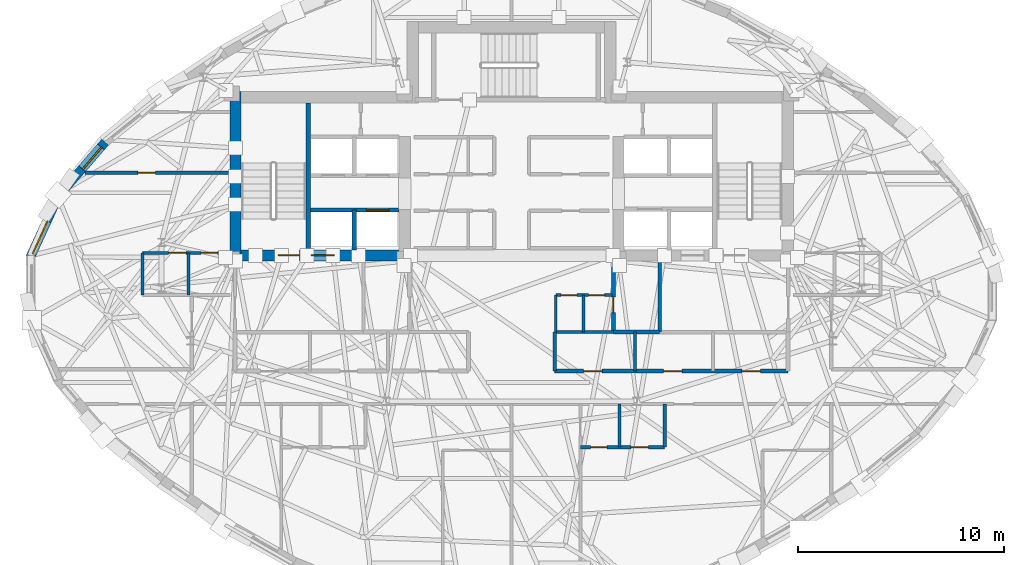
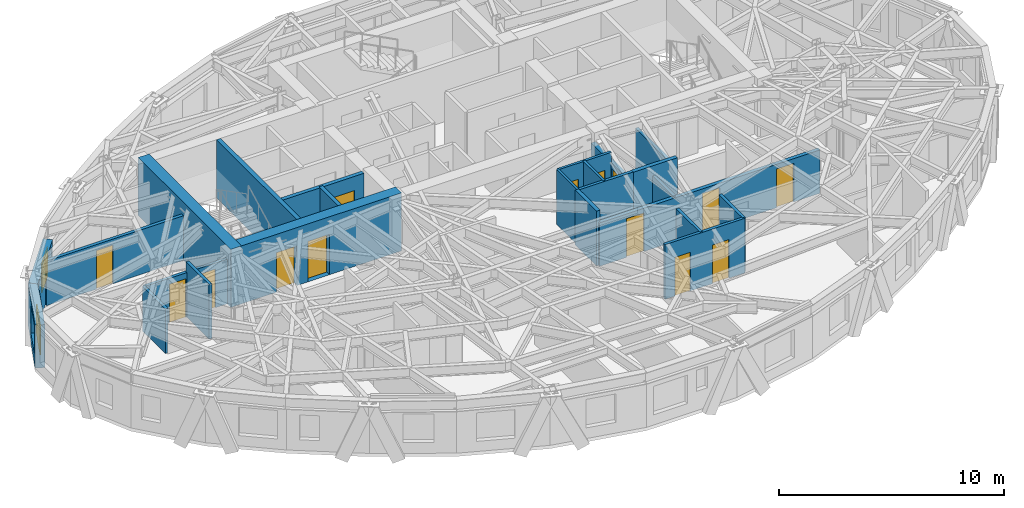
# One storey, part 7 of 14: 24 walls, 14 doors, 2 windows, 16 openings.
"""IFC4 building model written with IfcOpenShell, lengths in metres."""

from ifc_helpers import new_model, si_unit, direction, frame, frame_2d, origin, place, context, subcontext, project, spatial, rectangle, extrude, material, layer, layer_set, type_object, element, fill, save


model = new_model("IFC4")

# Units and contexts
model_context = context("Model", 3, precision=1e-05, world=origin(), true_north=direction((0.0, 1.0)))
body_context = subcontext(model_context, "Body", "Model", "MODEL_VIEW")
ifc_project = project(units=[si_unit("LENGTHUNIT", "METRE"), si_unit("AREAUNIT", "SQUARE_METRE"), si_unit("VOLUMEUNIT", "CUBIC_METRE"), si_unit("PLANEANGLEUNIT", "RADIAN"), si_unit("MASSUNIT", "GRAM", prefix="KILO")], contexts=[model_context])

# Site, building, storey
site_placement = place(None, origin())
site = spatial("IfcSite", under=ifc_project, at=site_placement, CompositionType="ELEMENT")
building_placement = place(site_placement, origin())
building = spatial("IfcBuilding", under=site, at=building_placement, Name="Keldmark Tower", CompositionType="ELEMENT")
storey_placement = place(building_placement, frame((0.0, 0.0, 213.14990234375)))
storey = spatial("IfcBuildingStorey", under=building, at=storey_placement, Name="L59", CompositionType="ELEMENT", Elevation=213.14990234375)

# Wall, openings, doors
ifc_material_1 = material(Name="Heavy Acoustic Plumbing Chase Gypsum Assembly", Category="gypsum")
ifc_layer_1 = layer(ifc_material_1, 0.18994140625)
ifc_layer_set_1 = layer_set([ifc_layer_1], Name="Heavy Acoustic Plumbing Chase Gypsum Assembly")
wall_type_1 = type_object("IfcWallType", Name="Heavy Wet Wall 190 mm", PredefinedType="PLUMBINGWALL", material=ifc_layer_set_1)
wall_1_placement = place(storey_placement, frame((2.10009765625, -4.050048828125, 0.0), z_axis=(0.0, 0.0, 1.0), x_axis=(1.0, 0.0, 0.0)))
wall_1 = element("IfcWall", 1, at=wall_1_placement, inside=storey, type_object=wall_type_1, Name="L59 Heavy Wet Wall 190 mm SPK-E-S", PredefinedType="PLUMBINGWALL", context=body_context, shape_type="SweptSolid", body=[
    extrude(rectangle(XDim=11.349853515625, YDim=0.18994140625, at=frame_2d((5.6748046875, 0.0))), origin(), (0.0, 0.0, 1.0), 2.357177734375),
])
opening_1_placement = place(wall_1_placement, frame((1.39990234375, 0.0, 0.0)))
opening_1 = element("IfcOpeningElement", 2, at=opening_1_placement, cuts=wall_1, Name="Opening D-IN090", PredefinedType="OPENING", context=body_context, shape_type="SweptSolid", body=[
    extrude(rectangle(XDim=0.89990234375, YDim=2.10009765625, at=frame_2d((0.449951171875, 1.050048828125))), frame((0.0, 0.10498046875, 0.0), z_axis=(0.0, -1.0, 0.0), x_axis=(1.0, 0.0, 0.0)), (0.0, 0.0, 1.0), 0.2099609375),
])
opening_2_placement = place(wall_1_placement, frame((5.300048828125, 0.0, 0.0)))
opening_2 = element("IfcOpeningElement", 3, at=opening_2_placement, cuts=wall_1, Name="Opening D-IN090", PredefinedType="OPENING", context=body_context, shape_type="SweptSolid", body=[
    extrude(rectangle(XDim=0.89990234375, YDim=2.10009765625, at=frame_2d((0.449951171875, 1.050048828125))), frame((0.0, 0.10498046875, 0.0), z_axis=(0.0, -1.0, 0.0), x_axis=(1.0, 0.0, 0.0)), (0.0, 0.0, 1.0), 0.2099609375),
])
opening_3_placement = place(wall_1_placement, frame((9.10009765625, 0.0, 0.0)))
opening_3 = element("IfcOpeningElement", 4, at=opening_3_placement, cuts=wall_1, Name="Opening D-IN090", PredefinedType="OPENING", context=body_context, shape_type="SweptSolid", body=[
    extrude(rectangle(XDim=0.89990234375, YDim=2.10009765625, at=frame_2d((0.449951171875, 1.050048828125))), frame((0.0, 0.10498046875, 0.0), z_axis=(0.0, -1.0, 0.0), x_axis=(1.0, 0.0, 0.0)), (0.0, 0.0, 1.0), 0.2099609375),
])
ifc_material_2 = material(Name="Stained American White Oak Veneer", Category="wood")
door_type_1 = type_object("IfcDoorType", Name="Interior Door 900x2100", OperationType="NOTDEFINED", PredefinedType="DOOR", material=ifc_material_2)
door_1_placement = place(opening_1_placement, origin())
door_1 = element("IfcDoor", 5, at=door_1_placement, inside=storey, type_object=door_type_1, Name="L59 Interior Door 900x2100 D-SPKE1-L59", OperationType="SINGLE_SWING_RIGHT", OverallHeight=2.10009765625, OverallWidth=0.89990234375, PredefinedType="DOOR", context=body_context, shape_type="SweptSolid", body=[
    extrude(rectangle(XDim=0.89990234375, YDim=2.10009765625, at=frame_2d((0.449951171875, 1.050048828125))), frame((0.0, 0.02490234375, 0.0), z_axis=(0.0, -1.0, 0.0), x_axis=(1.0, 0.0, 0.0)), (0.0, 0.0, 1.0), 0.050048828125),
])
fill(opening_1, door_1)
door_2_placement = place(opening_2_placement, origin())
door_2 = element("IfcDoor", 6, at=door_2_placement, inside=storey, type_object=door_type_1, Name="L59 Interior Door 900x2100 D-SPKE2-L59", OperationType="SINGLE_SWING_LEFT", OverallHeight=2.10009765625, OverallWidth=0.89990234375, PredefinedType="DOOR", context=body_context, shape_type="SweptSolid", body=[
    extrude(rectangle(XDim=0.89990234375, YDim=2.10009765625, at=frame_2d((0.449951171875, 1.050048828125))), frame((0.0, 0.02490234375, 0.0), z_axis=(0.0, -1.0, 0.0), x_axis=(1.0, 0.0, 0.0)), (0.0, 0.0, 1.0), 0.050048828125),
])
fill(opening_2, door_2)
door_3_placement = place(opening_3_placement, origin())
door_3 = element("IfcDoor", 7, at=door_3_placement, inside=storey, type_object=door_type_1, Name="L59 Interior Door 900x2100 D-SPKE3-L59", OperationType="SINGLE_SWING_RIGHT", OverallHeight=2.10009765625, OverallWidth=0.89990234375, PredefinedType="DOOR", context=body_context, shape_type="SweptSolid", body=[
    extrude(rectangle(XDim=0.89990234375, YDim=2.10009765625, at=frame_2d((0.449951171875, 1.050048828125))), frame((0.0, 0.02490234375, 0.0), z_axis=(0.0, -1.0, 0.0), x_axis=(1.0, 0.0, 0.0)), (0.0, 0.0, 1.0), 0.050048828125),
])
fill(opening_3, door_3)

# Walls
wall_2_placement = place(storey_placement, frame((2.10009765625, -4.050048828125, 0.0), z_axis=(0.0, 0.0, 1.0), x_axis=(0.0, 1.0, 0.0)))
element("IfcWall", 8, at=wall_2_placement, inside=storey, type_object=wall_type_1, Name="L59 Heavy Wet Wall 190 mm SPK-E-W", PredefinedType="PLUMBINGWALL", context=body_context, shape_type="SweptSolid", body=[
    extrude(rectangle(XDim=1.900146484375, YDim=0.18994140625, at=frame_2d((0.9501953125, 0.0))), origin(), (0.0, 0.0, 1.0), 2.97021484375),
])
ifc_material_3 = material(Name="Concrete C50/60", Category="concrete")
ifc_layer_2 = layer(ifc_material_3, 0.550048828125)
ifc_layer_set_2 = layer_set([ifc_layer_2], Name="Concrete C50/60")
wall_type_2 = type_object("IfcWallType", Name="High-Rise Core Shear Wall 550 mm", PredefinedType="SHEAR", material=ifc_layer_set_2)
wall_3_placement = place(storey_placement, frame((-13.425048828125, 1.300048828125, 0.0), z_axis=(0.0, 0.0, 1.0), x_axis=(0.0, 1.0, 0.0)))
element("IfcWall", 9, at=wall_3_placement, inside=storey, type_object=wall_type_2, Name="L59 West Core Outer Shear Wall", PredefinedType="SHEAR", context=body_context, shape_type="SweptSolid", body=[
    extrude(rectangle(XDim=8.25, YDim=0.550048828125, at=frame_2d((4.125, 0.0))), origin(), (0.0, 0.0, 1.0), 3.150146484375),
])

# Wall, openings, doors
wall_4_placement = place(storey_placement, frame((-4.925048828125, 1.574951171875, 0.0), z_axis=(0.0, 0.0, 1.0), x_axis=(-1.0, 0.0, 0.0)))
wall_4 = element("IfcWall", 10, at=wall_4_placement, inside=storey, type_object=wall_type_2, Name="L59 West Core South Shear Wall", PredefinedType="SHEAR", context=body_context, shape_type="SweptSolid", body=[
    extrude(rectangle(XDim=8.77490234375, YDim=0.550048828125, at=frame_2d((4.387451171875, 0.0))), origin(), (0.0, 0.0, 1.0), 3.150146484375),
])
opening_4_placement = place(wall_4_placement, frame((5.375, 0.0, 0.0)))
opening_4 = element("IfcOpeningElement", 11, at=opening_4_placement, cuts=wall_4, Name="Opening D-ST105", PredefinedType="OPENING", context=body_context, shape_type="SweptSolid", body=[
    extrude(rectangle(XDim=1.050048828125, YDim=2.14990234375, at=frame_2d((0.52490234375, 1.074951171875))), frame((0.0, 0.284912109375, 0.0), z_axis=(0.0, -1.0, 0.0), x_axis=(1.0, 0.0, 0.0)), (0.0, 0.0, 1.0), 0.570068359375),
])
opening_5_placement = place(wall_4_placement, frame((3.705078125, 0.0, 0.0)))
opening_5 = element("IfcOpeningElement", 12, at=opening_5_placement, cuts=wall_4, Name="Opening LD-110", PredefinedType="OPENING", context=body_context, shape_type="SweptSolid", body=[
    extrude(rectangle(XDim=1.10009765625, YDim=2.199951171875, at=frame_2d((0.550048828125, 1.10009765625))), frame((0.0, 0.284912109375, 0.0), z_axis=(0.0, -1.0, 0.0), x_axis=(1.0, 0.0, 0.0)), (0.0, 0.0, 1.0), 0.570068359375),
])
ifc_material_4 = material(Name="Brushed Bronze Hoistway Sliding Leaf", Category="metal")
door_type_2 = type_object("IfcDoorType", Name="Lift Landing Sliding Door 1100x2200", OperationType="SLIDING_TO_LEFT", PredefinedType="DOOR", material=ifc_material_4)
door_4_placement = place(opening_5_placement, origin())
door_4 = element("IfcDoor", 13, at=door_4_placement, inside=storey, type_object=door_type_2, Name="L59 Lift Landing Sliding Door 1100x2200 LD-EL-FS1-L59", OperationType="SLIDING_TO_LEFT", OverallHeight=2.199951171875, OverallWidth=1.10009765625, PredefinedType="DOOR", context=body_context, shape_type="SweptSolid", body=[
    extrude(rectangle(XDim=1.10009765625, YDim=2.199951171875, at=frame_2d((0.550048828125, 1.10009765625))), frame((0.0, 0.02490234375, 0.0), z_axis=(0.0, -1.0, 0.0), x_axis=(1.0, 0.0, 0.0)), (0.0, 0.0, 1.0), 0.050048828125),
])
fill(opening_5, door_4)
ifc_material_5 = material(Name="Hollow Metal Fire-Rated Door Assembly", Category="metal")
door_type_3 = type_object("IfcDoorType", Name="Stair Fire Door 1050x2150", OperationType="NOTDEFINED", PredefinedType="DOOR", material=ifc_material_5)
door_5_placement = place(opening_4_placement, origin())
door_5 = element("IfcDoor", 14, at=door_5_placement, inside=storey, type_object=door_type_3, Name="L59 Stair Fire Door 1050x2150 D-ST1-L59", OperationType="SINGLE_SWING_RIGHT", OverallHeight=2.14990234375, OverallWidth=1.050048828125, PredefinedType="DOOR", context=body_context, shape_type="SweptSolid", body=[
    extrude(rectangle(XDim=1.050048828125, YDim=2.14990234375, at=frame_2d((0.52490234375, 1.074951171875))), frame((0.0, 0.02490234375, 0.0), z_axis=(0.0, -1.0, 0.0), x_axis=(1.0, 0.0, 0.0)), (0.0, 0.0, 1.0), 0.050048828125),
])
fill(opening_4, door_5)

ifc_material_6 = material(Name="Acoustic Gypsum Board Interior Partition", Category="gypsum")
ifc_layer_3 = layer(ifc_material_6, 0.1298828125)
ifc_layer_set_3 = layer_set([ifc_layer_3], Name="Acoustic Gypsum Board Interior Partition")
wall_type_3 = type_object("IfcWallType", Name="Interior Partition 130 mm", PredefinedType="PARTITIONING", material=ifc_layer_set_3)
wall_5_placement = place(storey_placement, frame((2.14990234375, -0.35009765625, 0.0), z_axis=(0.0, 0.0, 1.0), x_axis=(1.0, 0.0, 0.0)))
wall_5 = element("IfcWall", 15, at=wall_5_placement, inside=storey, type_object=wall_type_3, Name="L59 Interior Partition 130 mm CSC-E-N", PredefinedType="PARTITIONING", context=body_context, shape_type="SweptSolid", body=[
    extrude(rectangle(XDim=2.72998046875, YDim=0.1298828125, at=frame_2d((1.364990234375, 0.0))), origin(), (0.0, 0.0, 1.0), 2.97021484375),
])
opening_6_placement = place(wall_5_placement, frame((0.25, 0.0, 0.0)))
opening_6 = element("IfcOpeningElement", 16, at=opening_6_placement, cuts=wall_5, Name="Opening D-CL078", PredefinedType="OPENING", context=body_context, shape_type="SweptSolid", body=[
    extrude(rectangle(XDim=0.780029296875, YDim=2.10009765625, at=frame_2d((0.39013671875, 1.050048828125))), frame((0.0, 0.074951171875, 0.0), z_axis=(0.0, -1.0, 0.0), x_axis=(1.0, 0.0, 0.0)), (0.0, 0.0, 1.0), 0.14990234375),
])
opening_7_placement = place(wall_5_placement, frame((1.60009765625, 0.0, 0.0)))
opening_7 = element("IfcOpeningElement", 17, at=opening_7_placement, cuts=wall_5, Name="Opening D-CL078", PredefinedType="OPENING", context=body_context, shape_type="SweptSolid", body=[
    extrude(rectangle(XDim=0.780029296875, YDim=2.10009765625, at=frame_2d((0.39013671875, 1.050048828125))), frame((0.0, 0.074951171875, 0.0), z_axis=(0.0, -1.0, 0.0), x_axis=(1.0, 0.0, 0.0)), (0.0, 0.0, 1.0), 0.14990234375),
])
ifc_material_7 = material(Name="Flush Utility Closet Timber Door", Category="wood")
door_type_4 = type_object("IfcDoorType", Name="Closet Door 780x2100", OperationType="NOTDEFINED", PredefinedType="DOOR", material=ifc_material_7)
door_6_placement = place(opening_6_placement, origin())
door_6 = element("IfcDoor", 18, at=door_6_placement, inside=storey, type_object=door_type_4, Name="L59 Closet Door 780x2100 D-CSCE1-L59", OperationType="SINGLE_SWING_LEFT", OverallHeight=2.10009765625, OverallWidth=0.780029296875, PredefinedType="DOOR", context=body_context, shape_type="SweptSolid", body=[
    extrude(rectangle(XDim=0.780029296875, YDim=2.10009765625, at=frame_2d((0.39013671875, 1.050048828125))), frame((0.0, 0.02490234375, 0.0), z_axis=(0.0, -1.0, 0.0), x_axis=(1.0, 0.0, 0.0)), (0.0, 0.0, 1.0), 0.050048828125),
])
fill(opening_6, door_6)
door_7_placement = place(opening_7_placement, origin())
door_7 = element("IfcDoor", 19, at=door_7_placement, inside=storey, type_object=door_type_4, Name="L59 Closet Door 780x2100 D-CSCE2-L59", OperationType="SINGLE_SWING_RIGHT", OverallHeight=2.10009765625, OverallWidth=0.780029296875, PredefinedType="DOOR", context=body_context, shape_type="SweptSolid", body=[
    extrude(rectangle(XDim=0.780029296875, YDim=2.10009765625, at=frame_2d((0.39013671875, 1.050048828125))), frame((0.0, 0.02490234375, 0.0), z_axis=(0.0, -1.0, 0.0), x_axis=(1.0, 0.0, 0.0)), (0.0, 0.0, 1.0), 0.050048828125),
])
fill(opening_7, door_7)

# Walls
for number, where, z_axis, x_axis, name in (
    (20, (2.14990234375, -2.14990234375, 0.0), (0.0, 0.0, 1.0), (0.0, 1.0, 0.0), "L59 Interior Partition 130 mm CSC-E-W"),
    (21, (3.5, -2.14990234375, 0.0), (0.0, 0.0, 1.0), (0.0, 1.0, 0.0), "L59 Interior Partition 130 mm CSC-E-M"),
):
    element("IfcWall", number, at=place(storey_placement, frame(where, z_axis=z_axis, x_axis=x_axis)), inside=storey, type_object=wall_type_3, Name=name, PredefinedType="PARTITIONING", context=body_context, shape_type="SweptSolid", body=[
        extrude(rectangle(XDim=1.7998046875, YDim=0.1298828125, at=frame_2d((0.89990234375, 0.0))), origin(), (0.0, 0.0, 1.0), 2.97021484375),
    ])
ifc_material_8 = material(Name="Type X Fire-Rated Gypsum Partition Assembly", Category="gypsum")
ifc_layer_4 = layer(ifc_material_8, 0.1650390625)
ifc_layer_set_4 = layer_set([ifc_layer_4], Name="Type X Fire-Rated Gypsum Partition Assembly")
wall_type_4 = type_object("IfcWallType", Name="Rated Partition 165 mm", PredefinedType="PARTITIONING", material=ifc_layer_set_4)
wall_6_placement = place(storey_placement, frame((7.199951171875, -2.14990234375, 0.0), z_axis=(0.0, 0.0, 1.0), x_axis=(0.0, 1.0, 0.0)))
element("IfcWall", 22, at=wall_6_placement, inside=storey, type_object=wall_type_4, Name="L59 Rated Partition 165 mm FSAE-E-W", PredefinedType="PARTITIONING", context=body_context, shape_type="SweptSolid", body=[
    extrude(rectangle(XDim=3.5, YDim=0.1650390625, at=frame_2d((1.75, 0.0))), origin(), (0.0, 0.0, 1.0), 2.423095703125),
])

# Wall, opening, door
wall_7_placement = place(storey_placement, frame((-20.753173828125, 5.60009765625, 0.0), z_axis=(0.0, 0.0, 1.0), x_axis=(1.0, 0.0, 0.0)))
wall_7 = element("IfcWall", 23, at=wall_7_placement, inside=storey, type_object=wall_type_4, Name="L59 Rated Partition 165 mm RW-NDIV", PredefinedType="PARTITIONING", context=body_context, shape_type="SweptSolid", body=[
    extrude(rectangle(XDim=7.05322265625, YDim=0.1650390625, at=frame_2d((3.526611328125, 0.0))), origin(), (0.0, 0.0, 1.0), 2.423095703125),
])
opening_8_placement = place(wall_7_placement, frame((2.583984375, 0.0, 0.0)))
opening_8 = element("IfcOpeningElement", 24, at=opening_8_placement, cuts=wall_7, Name="Opening D-BR085", PredefinedType="OPENING", context=body_context, shape_type="SweptSolid", body=[
    extrude(rectangle(XDim=0.85009765625, YDim=2.10009765625, at=frame_2d((0.425048828125, 1.050048828125))), frame((0.0, 0.092529296875, 0.0), z_axis=(0.0, -1.0, 0.0), x_axis=(1.0, 0.0, 0.0)), (0.0, 0.0, 1.0), 0.18505859375),
])
ifc_material_9 = material(Name="Solid-Core Stained Walnut Wood", Category="wood")
door_type_5 = type_object("IfcDoorType", Name="Bedroom Door 850x2100", OperationType="NOTDEFINED", PredefinedType="DOOR", material=ifc_material_9)
door_8_placement = place(opening_8_placement, origin())
door_8 = element("IfcDoor", 25, at=door_8_placement, inside=storey, type_object=door_type_5, Name="L59 Bedroom Door 850x2100 D-UC-BR1-L59", OperationType="SINGLE_SWING_LEFT", OverallHeight=2.10009765625, OverallWidth=0.85009765625, PredefinedType="DOOR", context=body_context, shape_type="SweptSolid", body=[
    extrude(rectangle(XDim=0.85009765625, YDim=2.10009765625, at=frame_2d((0.425048828125, 1.050048828125))), frame((0.0, 0.02490234375, 0.0), z_axis=(0.0, -1.0, 0.0), x_axis=(1.0, 0.0, 0.0)), (0.0, 0.0, 1.0), 0.050048828125),
])
fill(opening_8, door_8)

# Wall
ifc_material_10 = material(Name="Fire-Resistant Type X Gypsum Shaftliner Coreboard", Category="gypsum")
ifc_layer_5 = layer(ifc_material_10, 0.199951171875)
ifc_layer_set_5 = layer_set([ifc_layer_5], Name="Fire-Resistant Type X Gypsum Shaftliner Coreboard")
wall_type_5 = type_object("IfcWallType", Name="Shaft Wall 200 mm", PredefinedType="SOLIDWALL", material=ifc_layer_set_5)
wall_8_placement = place(storey_placement, frame((4.949951171875, -2.14990234375, 0.0), z_axis=(0.0, 0.0, 1.0), x_axis=(1.0, 0.0, 0.0)))
element("IfcWall", 26, at=wall_8_placement, inside=storey, type_object=wall_type_5, Name="L59 Shaft Wall 200 mm RIS-SE-S", PredefinedType="SOLIDWALL", context=body_context, shape_type="SweptSolid", body=[
    extrude(rectangle(XDim=2.25, YDim=0.199951171875, at=frame_2d((1.125, 0.0))), origin(), (0.0, 0.0, 1.0), 2.97021484375),
])

# Wall, opening, door
wall_9_placement = place(storey_placement, frame((4.949951171875, -2.14990234375, 0.0), z_axis=(0.0, 0.0, 1.0), x_axis=(0.0, 1.0, 0.0)))
wall_9 = element("IfcWall", 27, at=wall_9_placement, inside=storey, type_object=wall_type_5, Name="L59 Shaft Wall 200 mm RIS-SE-W", PredefinedType="SOLIDWALL", context=body_context, shape_type="SweptSolid", body=[
    extrude(rectangle(XDim=3.5, YDim=0.199951171875, at=frame_2d((1.75, 0.0))), origin(), (0.0, 0.0, 1.0), 2.423095703125),
])
opening_9_placement = place(wall_9_placement, frame((0.949951171875, 0.0, 0.0)))
opening_9 = element("IfcOpeningElement", 28, at=opening_9_placement, cuts=wall_9, Name="Opening D-RS075", PredefinedType="OPENING", context=body_context, shape_type="SweptSolid", body=[
    extrude(rectangle(XDim=0.75, YDim=2.10009765625, at=frame_2d((0.375, 1.050048828125))), frame((0.0, 0.10986328125, 0.0), z_axis=(0.0, -1.0, 0.0), x_axis=(1.0, 0.0, 0.0)), (0.0, 0.0, 1.0), 0.219970703125),
])
ifc_material_11 = material(Name="Galvanized Fire-Rated Access Leaf", Category="metal")
door_type_6 = type_object("IfcDoorType", Name="Riser Access Door 750x2100", OperationType="NOTDEFINED", PredefinedType="DOOR", material=ifc_material_11)
door_9_placement = place(opening_9_placement, origin())
door_9 = element("IfcDoor", 29, at=door_9_placement, inside=storey, type_object=door_type_6, Name="L59 Riser Access Door 750x2100 D-RISSE-L59", OperationType="SINGLE_SWING_LEFT", OverallHeight=2.10009765625, OverallWidth=0.75, PredefinedType="DOOR", context=body_context, shape_type="SweptSolid", body=[
    extrude(rectangle(XDim=0.75, YDim=2.10009765625, at=frame_2d((0.375, 1.050048828125))), frame((0.0, 0.02490234375, 0.0), z_axis=(0.0, -1.0, 0.0), x_axis=(1.0, 0.0, 0.0)), (0.0, 0.0, 1.0), 0.050048828125),
])
fill(opening_9, door_9)

wall_10_placement = place(storey_placement, frame((-9.780029296875, 3.780029296875, 0.0), z_axis=(0.0, 0.0, 1.0), x_axis=(1.0, 0.0, 0.0)))
wall_10 = element("IfcWall", 30, at=wall_10_placement, inside=storey, type_object=wall_type_5, Name="L59 Shaft Wall 200 mm HW-W-S", PredefinedType="SOLIDWALL", context=body_context, shape_type="SweptSolid", body=[
    extrude(rectangle(XDim=4.304931640625, YDim=0.199951171875, at=frame_2d((2.15234375, 0.0))), origin(), (0.0, 0.0, 1.0), 2.97021484375),
])
opening_10_placement = place(wall_10_placement, frame((2.719970703125, 0.0, 0.0)))
opening_10 = element("IfcOpeningElement", 31, at=opening_10_placement, cuts=wall_10, Name="Opening LD-110", PredefinedType="OPENING", context=body_context, shape_type="SweptSolid", body=[
    extrude(rectangle(XDim=1.10009765625, YDim=2.199951171875, at=frame_2d((0.550048828125, 1.10009765625))), frame((0.0, 0.10986328125, 0.0), z_axis=(0.0, -1.0, 0.0), x_axis=(1.0, 0.0, 0.0)), (0.0, 0.0, 1.0), 0.219970703125),
])
door_10_placement = place(opening_10_placement, origin())
door_10 = element("IfcDoor", 32, at=door_10_placement, inside=storey, type_object=door_type_2, Name="L59 Lift Landing Sliding Door 1100x2200 LD-EL-H3-L59", OperationType="SLIDING_TO_LEFT", OverallHeight=2.199951171875, OverallWidth=1.10009765625, PredefinedType="DOOR", context=body_context, shape_type="SweptSolid", body=[
    extrude(rectangle(XDim=1.10009765625, YDim=2.199951171875, at=frame_2d((0.550048828125, 1.10009765625))), frame((0.0, 0.02490234375, 0.0), z_axis=(0.0, -1.0, 0.0), x_axis=(1.0, 0.0, 0.0)), (0.0, 0.0, 1.0), 0.050048828125),
])
fill(opening_10, door_10)

# Walls
wall_11_placement = place(storey_placement, frame((-7.64990234375, 1.85009765625, 0.0), z_axis=(0.0, 0.0, 1.0), x_axis=(0.0, 1.0, 0.0)))
element("IfcWall", 33, at=wall_11_placement, inside=storey, type_object=wall_type_5, Name="L59 Shaft Wall 200 mm HW-W-M", PredefinedType="SOLIDWALL", context=body_context, shape_type="SweptSolid", body=[
    extrude(rectangle(XDim=1.929931640625, YDim=0.199951171875, at=frame_2d((0.96484375, 0.0))), origin(), (0.0, 0.0, 1.0), 2.97021484375),
])
ifc_material_12 = material(Name="Concrete C50/60", Category="concrete")
ifc_layer_6 = layer(ifc_material_12, 0.219970703125)
ifc_layer_set_6 = layer_set([ifc_layer_6], Name="Concrete C50/60")
wall_type_6 = type_object("IfcWallType", Name="Stair Core Shear Wall 220 mm", PredefinedType="SHEAR", material=ifc_layer_set_6)
wall_12_placement = place(storey_placement, frame((-9.889892578125, 1.85009765625, 0.0), z_axis=(0.0, 0.0, 1.0), x_axis=(0.0, 1.0, 0.0)))
element("IfcWall", 34, at=wall_12_placement, inside=storey, type_object=wall_type_6, Name="L59 West Stair Core Shear Wall", PredefinedType="SHEAR", context=body_context, shape_type="SweptSolid", body=[
    extrude(rectangle(XDim=7.14990234375, YDim=0.219970703125, at=frame_2d((3.574951171875, 0.0))), origin(), (0.0, 0.0, 1.0), 3.150146484375),
])

# Wall, opening, window
ifc_material_13 = material(Name="Ironspot Manganese Brick and Kasota Buff Limestone Spandrel Assembly", Category="masonry")
ifc_layer_7 = layer(ifc_material_13, 0.43994140625)
ifc_layer_set_7 = layer_set([ifc_layer_7], Name="Ironspot Manganese Brick and Kasota Buff Limestone Spandrel Assembly")
wall_type_7 = type_object("IfcWallType", Name="Tower Brick Pier and Spandrel Wall 440 mm", PredefinedType="STANDARD", material=ifc_layer_set_7)
wall_13_placement = place(storey_placement, frame((-22.066162109375, 4.430419921875, 0.0), z_axis=(0.0, 0.0, 1.0), x_axis=(0.654143325051, 0.75637061702, 0.0)))
wall_13 = element("IfcWall", 35, at=wall_13_placement, inside=storey, type_object=wall_type_7, Name="L59 Exterior Brick and Spandrel Wall 14", PredefinedType="STANDARD", context=body_context, shape_type="SweptSolid", body=[
    extrude(rectangle(XDim=3.50830078125, YDim=0.43994140625, at=frame_2d((1.754150390625, 0.0))), origin(), (0.0, 0.0, 1.0), 2.336181640625),
])
opening_11_placement = place(wall_13_placement, frame((1.810791015625, 0.0, 0.580078125)))
opening_11 = element("IfcOpeningElement", 36, at=opening_11_placement, cuts=wall_13, Name="Opening W-08", PredefinedType="OPENING", context=body_context, shape_type="SweptSolid", body=[
    extrude(rectangle(XDim=1.39990234375, YDim=1.550048828125, at=frame_2d((0.699951171875, 0.77490234375))), frame((0.0, 0.22998046875, 0.0), z_axis=(0.0, -1.0, 0.0), x_axis=(1.0, 0.0, 0.0)), (0.0, 0.0, 1.0), 0.4599609375),
])
ifc_material_14 = material(Name="Thermally Broken Anodized Aluminum and Triple Low-E Argon Glazing", Category="aluminium")
window_type_1 = type_object("IfcWindowType", Name="Residential Corner Punched Window 1400x1550", PartitioningType="SINGLE_PANEL", PredefinedType="WINDOW", material=ifc_material_14)
window_1_placement = place(opening_11_placement, origin())
window_1 = element("IfcWindow", 37, at=window_1_placement, inside=storey, type_object=window_type_1, Name="L59 Deep-Set Window 14", OverallHeight=1.550048828125, OverallWidth=1.39990234375, PartitioningType="SINGLE_PANEL", PredefinedType="WINDOW", context=body_context, shape_type="SweptSolid", body=[
    extrude(rectangle(XDim=1.39990234375, YDim=1.550048828125, at=frame_2d((0.699951171875, 0.77490234375))), frame((0.0, -0.010009765625, 0.0), z_axis=(0.0, -1.0, 0.0), x_axis=(1.0, 0.0, 0.0)), (0.0, 0.0, 1.0), 0.06005859375),
])
fill(opening_11, window_1)

wall_14_placement = place(storey_placement, frame((-23.4091796875, 1.4853515625, 0.0), z_axis=(0.0, 0.0, 1.0), x_axis=(0.417358097416, 0.908742107818, 0.0)))
wall_14 = element("IfcWall", 38, at=wall_14_placement, inside=storey, type_object=wall_type_7, Name="L59 Exterior Brick and Spandrel Wall 15", PredefinedType="STANDARD", context=body_context, shape_type="SweptSolid", body=[
    extrude(rectangle(XDim=3.298095703125, YDim=0.43994140625, at=frame_2d((1.64892578125, 0.0))), origin(), (0.0, 0.0, 1.0), 2.336181640625),
])
opening_12_placement = place(wall_14_placement, frame((0.199951171875, 0.0, 0.550048828125)))
opening_12 = element("IfcOpeningElement", 39, at=opening_12_placement, cuts=wall_14, Name="Opening W-05", PredefinedType="OPENING", context=body_context, shape_type="SweptSolid", body=[
    extrude(rectangle(XDim=1.75, YDim=1.550048828125, at=frame_2d((0.875, 0.77490234375))), frame((0.0, 0.22998046875, 0.0), z_axis=(0.0, -1.0, 0.0), x_axis=(1.0, 0.0, 0.0)), (0.0, 0.0, 1.0), 0.4599609375),
])
ifc_material_15 = material(Name="Thermally Broken Anodized Aluminum and Triple Low-E Argon Glazing", Category="aluminium")
window_type_2 = type_object("IfcWindowType", Name="Residential Deep-Set Window 1750x1550", PartitioningType="DOUBLE_PANEL_VERTICAL", PredefinedType="WINDOW", material=ifc_material_15)
window_2_placement = place(opening_12_placement, origin())
window_2 = element("IfcWindow", 40, at=window_2_placement, inside=storey, type_object=window_type_2, Name="L59 Deep-Set Window 15", OverallHeight=1.550048828125, OverallWidth=1.75, PartitioningType="SINGLE_PANEL", PredefinedType="WINDOW", context=body_context, shape_type="SweptSolid", body=[
    extrude(rectangle(XDim=1.75, YDim=1.550048828125, at=frame_2d((0.875, 0.77490234375))), frame((0.0, -0.010009765625, 0.0), z_axis=(0.0, -1.0, 0.0), x_axis=(1.0, 0.0, 0.0)), (0.0, 0.0, 1.0), 0.06005859375),
])
fill(opening_12, window_2)

# Walls
ifc_material_16 = material(Name="Moisture-Resistant Gypsum Plumbing Partition", Category="gypsum")
ifc_layer_8 = layer(ifc_material_16, 0.14990234375)
ifc_layer_set_8 = layer_set([ifc_layer_8], Name="Moisture-Resistant Gypsum Plumbing Partition")
wall_type_8 = type_object("IfcWallType", Name="Wet Wall 150 mm", PredefinedType="PLUMBINGWALL", material=ifc_layer_set_8)
wall_15_placement = place(storey_placement, frame((2.10009765625, -2.14990234375, 0.0), z_axis=(0.0, 0.0, 1.0), x_axis=(1.0, 0.0, 0.0)))
element("IfcWall", 41, at=wall_15_placement, inside=storey, type_object=wall_type_8, Name="L59 Wet Wall 150 mm SPK-E-N", PredefinedType="PLUMBINGWALL", context=body_context, shape_type="SweptSolid", body=[
    extrude(rectangle(XDim=2.849853515625, YDim=0.14990234375, at=frame_2d((1.4248046875, 0.0))), origin(), (0.0, 0.0, 1.0), 2.97021484375),
])
wall_16_placement = place(storey_placement, frame((6.0, -4.050048828125, 0.0), z_axis=(0.0, 0.0, 1.0), x_axis=(0.0, 1.0, 0.0)))
element("IfcWall", 42, at=wall_16_placement, inside=storey, type_object=wall_type_8, Name="L59 Wet Wall 150 mm SPK-E-D1", PredefinedType="PLUMBINGWALL", context=body_context, shape_type="SweptSolid", body=[
    extrude(rectangle(XDim=1.900146484375, YDim=0.14990234375, at=frame_2d((0.9501953125, 0.0))), origin(), (0.0, 0.0, 1.0), 2.43115234375),
])

# Wall, openings, doors
wall_17_placement = place(storey_placement, frame((3.35009765625, -7.75, 0.0), z_axis=(0.0, 0.0, 1.0), x_axis=(1.0, 0.0, 0.0)))
wall_17 = element("IfcWall", 43, at=wall_17_placement, inside=storey, type_object=wall_type_8, Name="L59 Wet Wall 150 mm UB-BK-S", PredefinedType="PLUMBINGWALL", context=body_context, shape_type="SweptSolid", body=[
    extrude(rectangle(XDim=4.099853515625, YDim=0.14990234375, at=frame_2d((2.0498046875, 0.0))), origin(), (0.0, 0.0, 1.0), 2.97021484375),
])
opening_13_placement = place(wall_17_placement, frame((0.5, 0.0, 0.0)))
opening_13 = element("IfcOpeningElement", 44, at=opening_13_placement, cuts=wall_17, Name="Opening D-BT080", PredefinedType="OPENING", context=body_context, shape_type="SweptSolid", body=[
    extrude(rectangle(XDim=0.800048828125, YDim=2.10009765625, at=frame_2d((0.39990234375, 1.050048828125))), frame((0.0, 0.0849609375, 0.0), z_axis=(0.0, -1.0, 0.0), x_axis=(1.0, 0.0, 0.0)), (0.0, 0.0, 1.0), 0.169921875),
])
opening_14_placement = place(wall_17_placement, frame((2.449951171875, 0.0, 0.0)))
opening_14 = element("IfcOpeningElement", 45, at=opening_14_placement, cuts=wall_17, Name="Opening D-IN085", PredefinedType="OPENING", context=body_context, shape_type="SweptSolid", body=[
    extrude(rectangle(XDim=0.85009765625, YDim=2.10009765625, at=frame_2d((0.425048828125, 1.050048828125))), frame((0.0, 0.0849609375, 0.0), z_axis=(0.0, -1.0, 0.0), x_axis=(1.0, 0.0, 0.0)), (0.0, 0.0, 1.0), 0.169921875),
])
ifc_material_17 = material(Name="Moisture-Sealed Stained Wood", Category="wood")
door_type_7 = type_object("IfcDoorType", Name="Bathroom Door 800x2100", OperationType="NOTDEFINED", PredefinedType="DOOR", material=ifc_material_17)
door_11_placement = place(opening_13_placement, origin())
door_11 = element("IfcDoor", 46, at=door_11_placement, inside=storey, type_object=door_type_7, Name="L59 Bathroom Door 800x2100 D-UB-BATH-L59", OperationType="SINGLE_SWING_LEFT", OverallHeight=2.10009765625, OverallWidth=0.800048828125, PredefinedType="DOOR", context=body_context, shape_type="SweptSolid", body=[
    extrude(rectangle(XDim=0.800048828125, YDim=2.10009765625, at=frame_2d((0.39990234375, 1.050048828125))), frame((0.0, 0.02490234375, 0.0), z_axis=(0.0, -1.0, 0.0), x_axis=(1.0, 0.0, 0.0)), (0.0, 0.0, 1.0), 0.050048828125),
])
fill(opening_13, door_11)
ifc_material_18 = material(Name="Painted Architectural Wood", Category="wood")
door_type_8 = type_object("IfcDoorType", Name="Interior Door 850x2100", OperationType="NOTDEFINED", PredefinedType="DOOR", material=ifc_material_18)
door_12_placement = place(opening_14_placement, origin())
door_12 = element("IfcDoor", 47, at=door_12_placement, inside=storey, type_object=door_type_8, Name="L59 Interior Door 850x2100 D-UB-KIT-L59", OperationType="SINGLE_SWING_RIGHT", OverallHeight=2.10009765625, OverallWidth=0.85009765625, PredefinedType="DOOR", context=body_context, shape_type="SweptSolid", body=[
    extrude(rectangle(XDim=0.85009765625, YDim=2.10009765625, at=frame_2d((0.425048828125, 1.050048828125))), frame((0.0, 0.02490234375, 0.0), z_axis=(0.0, -1.0, 0.0), x_axis=(1.0, 0.0, 0.0)), (0.0, 0.0, 1.0), 0.050048828125),
])
fill(opening_14, door_12)

# Walls
for number, where, z_axis, x_axis, name in (
    (48, (5.25, -7.75, 0.0), (0.0, 0.0, 1.0), (0.0, 1.0, 0.0), "L59 Wet Wall 150 mm UB-BK-M"),
    (49, (7.449951171875, -7.75, 0.0), (0.0, 0.0, 1.0), (0.0, 1.0, 0.0), "L59 Wet Wall 150 mm UB-BK-E"),
):
    element("IfcWall", number, at=place(storey_placement, frame(where, z_axis=z_axis, x_axis=x_axis)), inside=storey, type_object=wall_type_8, Name=name, PredefinedType="PLUMBINGWALL", context=body_context, shape_type="SweptSolid", body=[
        extrude(rectangle(XDim=2.10009765625, YDim=0.14990234375, at=frame_2d((1.050048828125, 0.0))), origin(), (0.0, 0.0, 1.0), 2.97021484375),
    ])

# Wall, openings, doors
wall_18_placement = place(storey_placement, frame((-17.949951171875, 1.699951171875, 0.0), z_axis=(0.0, 0.0, 1.0), x_axis=(1.0, 0.0, 0.0)))
wall_18 = element("IfcWall", 50, at=wall_18_placement, inside=storey, type_object=wall_type_8, Name="L59 Wet Wall 150 mm UC-BK-N", PredefinedType="PLUMBINGWALL", context=body_context, shape_type="SweptSolid", body=[
    extrude(rectangle(XDim=4.25, YDim=0.14990234375, at=frame_2d((2.125, 0.0))), origin(), (0.0, 0.0, 1.0), 2.423095703125),
])
opening_15_placement = place(wall_18_placement, frame((2.85009765625, 0.0, 0.0)))
opening_15 = element("IfcOpeningElement", 51, at=opening_15_placement, cuts=wall_18, Name="Opening D-BT080", PredefinedType="OPENING", context=body_context, shape_type="SweptSolid", body=[
    extrude(rectangle(XDim=0.800048828125, YDim=2.10009765625, at=frame_2d((0.39990234375, 1.050048828125))), frame((0.0, 0.0849609375, 0.0), z_axis=(0.0, -1.0, 0.0), x_axis=(1.0, 0.0, 0.0)), (0.0, 0.0, 1.0), 0.169921875),
])
opening_16_placement = place(wall_18_placement, frame((1.27001953125, 0.0, 0.0)))
opening_16 = element("IfcOpeningElement", 52, at=opening_16_placement, cuts=wall_18, Name="Opening D-IN085", PredefinedType="OPENING", context=body_context, shape_type="SweptSolid", body=[
    extrude(rectangle(XDim=0.85009765625, YDim=2.10009765625, at=frame_2d((0.425048828125, 1.050048828125))), frame((0.0, 0.0849609375, 0.0), z_axis=(0.0, -1.0, 0.0), x_axis=(1.0, 0.0, 0.0)), (0.0, 0.0, 1.0), 0.169921875),
])
door_13_placement = place(opening_15_placement, origin())
door_13 = element("IfcDoor", 53, at=door_13_placement, inside=storey, type_object=door_type_7, Name="L59 Bathroom Door 800x2100 D-UC-BATH-L59", OperationType="SINGLE_SWING_LEFT", OverallHeight=2.10009765625, OverallWidth=0.800048828125, PredefinedType="DOOR", context=body_context, shape_type="SweptSolid", body=[
    extrude(rectangle(XDim=0.800048828125, YDim=2.10009765625, at=frame_2d((0.39990234375, 1.050048828125))), frame((0.0, 0.02490234375, 0.0), z_axis=(0.0, -1.0, 0.0), x_axis=(1.0, 0.0, 0.0)), (0.0, 0.0, 1.0), 0.050048828125),
])
fill(opening_15, door_13)
door_14_placement = place(opening_16_placement, origin())
door_14 = element("IfcDoor", 54, at=door_14_placement, inside=storey, type_object=door_type_8, Name="L59 Interior Door 850x2100 D-UC-KIT-L59", OperationType="SINGLE_SWING_RIGHT", OverallHeight=2.10009765625, OverallWidth=0.85009765625, PredefinedType="DOOR", context=body_context, shape_type="SweptSolid", body=[
    extrude(rectangle(XDim=0.85009765625, YDim=2.10009765625, at=frame_2d((0.425048828125, 1.050048828125))), frame((0.0, 0.02490234375, 0.0), z_axis=(0.0, -1.0, 0.0), x_axis=(1.0, 0.0, 0.0)), (0.0, 0.0, 1.0), 0.050048828125),
])
fill(opening_16, door_14)

# Walls
wall_19_placement = place(storey_placement, frame((-15.699951171875, -0.35009765625, 0.0), z_axis=(0.0, 0.0, 1.0), x_axis=(0.0, 1.0, 0.0)))
element("IfcWall", 55, at=wall_19_placement, inside=storey, type_object=wall_type_8, Name="L59 Wet Wall 150 mm UC-BK-M", PredefinedType="PLUMBINGWALL", context=body_context, shape_type="SweptSolid", body=[
    extrude(rectangle(XDim=2.050048828125, YDim=0.14990234375, at=frame_2d((1.02490234375, 0.0))), origin(), (0.0, 0.0, 1.0), 2.97021484375),
])
wall_20_placement = place(storey_placement, frame((-17.949951171875, -0.35009765625, 0.0), z_axis=(0.0, 0.0, 1.0), x_axis=(0.0, 1.0, 0.0)))
element("IfcWall", 56, at=wall_20_placement, inside=storey, type_object=wall_type_8, Name="L59 Wet Wall 150 mm UC-BK-OUT", PredefinedType="PLUMBINGWALL", context=body_context, shape_type="SweptSolid", body=[
    extrude(rectangle(XDim=2.050048828125, YDim=0.14990234375, at=frame_2d((1.02490234375, 0.0))), origin(), (0.0, 0.0, 1.0), 2.423095703125),
])

save(model, "model.ifc")
